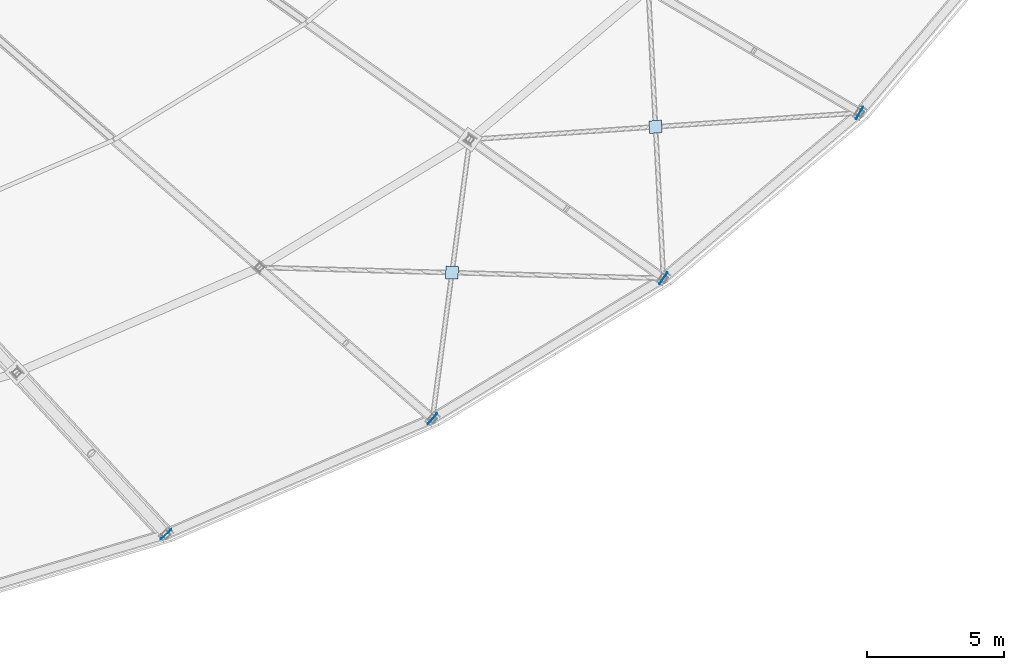
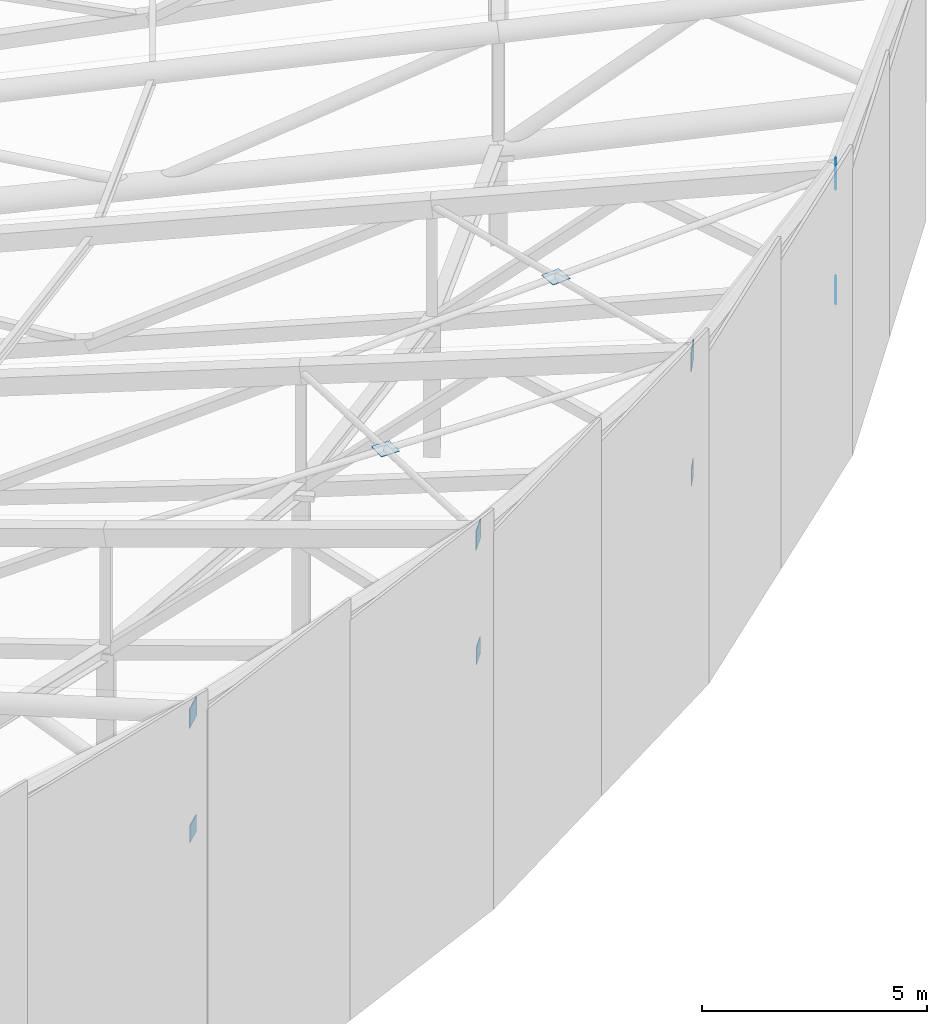
# One storey, part 122 of 143: 10 plates.
"""IFC4 building model written with IfcOpenShell, lengths in metres."""

from ifc_helpers import new_model, si_unit, direction, frame, origin, origin_2d, place, context, subcontext, project, spatial, rectangle, extrude, material, layer, layer_set, type_object, element, save


model = new_model("IFC4")

# Units and contexts
model_context = context("Model", 3, precision=1e-05, world=origin(), true_north=direction((0.0, 1.0)))
body_context = subcontext(model_context, "Body", "Model", "MODEL_VIEW")
ifc_project = project(units=[si_unit("LENGTHUNIT", "METRE"), si_unit("AREAUNIT", "SQUARE_METRE"), si_unit("VOLUMEUNIT", "CUBIC_METRE"), si_unit("PLANEANGLEUNIT", "RADIAN"), si_unit("MASSUNIT", "GRAM", prefix="KILO")], contexts=[model_context])

# Site, building, storey
site_placement = place(None, origin())
site = spatial("IfcSite", under=ifc_project, at=site_placement, CompositionType="ELEMENT")
building_placement = place(site_placement, origin())
building = spatial("IfcBuilding", under=site, at=building_placement, Name="Mphavela Belvedere Stadium", CompositionType="ELEMENT")
storey_placement = place(building_placement, frame((0.0, 0.0, 28.800048828125)))
storey = spatial("IfcBuildingStorey", under=building, at=storey_placement, Name="RF", CompositionType="ELEMENT", Elevation=28.800048828125)

# Plates
ifc_material_1 = material(Name="Steel S355", Category="steel")
ifc_layer_1 = layer(ifc_material_1, 0.01806640625)
ifc_layer_set_1 = layer_set([ifc_layer_1], Name="Steel S355")
plate_type_1 = type_object("IfcPlateType", Name="PLT-CAP-TRUSS-BC", PredefinedType="USERDEFINED", material=ifc_layer_set_1)
for number, where, z_axis, x_axis, name in (
    (1, (175.9375, 20.90869140625, 7.880859375), (0.0, 0.0, 1.0), (0.677903094969, -0.735151272753, 0.0), "Roof truss RT-41 hollow-end cap plate out_bc"),
    (2, (185.6962890625, 25.13916015625, 6.723388671875), (0.0, 0.0, 1.0), (0.752529860433, -0.658558128912, 0.0), "Roof truss RT-42 hollow-end cap plate out_bc"),
):
    element("IfcPlate", number, at=place(storey_placement, frame(where, z_axis=z_axis, x_axis=x_axis)), inside=storey, type_object=plate_type_1, Name=name, ObjectType="GUSSET_PLATE", PredefinedType="USERDEFINED", context=body_context, shape_type="SweptSolid", body=[
        extrude(rectangle(XDim=0.01806640625, YDim=0.4599609375, at=origin_2d()), origin(), (0.0, 0.0, 1.0), 0.4599609375),
    ])
plate_1_placement = place(storey_placement, frame((186.410888671875, 30.49365234375, 8.91552734375), z_axis=(0.0, 0.0, 1.0), x_axis=(0.999638806409, -0.026874834341, 0.0)))
element("IfcPlate", 3, at=plate_1_placement, inside=storey, type_object=plate_type_1, Name="Roof X-brace crossing gusset node plate 42", ObjectType="GUSSET_PLATE", PredefinedType="USERDEFINED", context=body_context, shape_type="SweptSolid", body=[
    extrude(rectangle(XDim=0.4599609375, YDim=0.4599609375, at=origin_2d()), origin(), (0.0, 0.0, 1.0), 0.01806640625),
])
plate_2_placement = place(storey_placement, frame((194.155517578125, 30.285400390625, 5.48095703125), z_axis=(0.0, 0.0, 1.0), x_axis=(0.812897512265, -0.582406760395, 0.0)))
element("IfcPlate", 4, at=plate_2_placement, inside=storey, type_object=plate_type_1, Name="Roof truss RT-43 hollow-end cap plate out_bc", ObjectType="GUSSET_PLATE", PredefinedType="USERDEFINED", context=body_context, shape_type="SweptSolid", body=[
    extrude(rectangle(XDim=0.01806640625, YDim=0.4599609375, at=origin_2d()), origin(), (0.0, 0.0, 1.0), 0.4599609375),
])
plate_3_placement = place(storey_placement, frame((193.864990234375, 35.83447265625, 7.7314453125), z_axis=(0.0, 0.0, 1.0), x_axis=(0.997660476238, 0.068363544026, 0.0)))
element("IfcPlate", 5, at=plate_3_placement, inside=storey, type_object=plate_type_1, Name="Roof X-brace crossing gusset node plate 43", ObjectType="GUSSET_PLATE", PredefinedType="USERDEFINED", context=body_context, shape_type="SweptSolid", body=[
    extrude(rectangle(XDim=0.4599609375, YDim=0.4599609375, at=origin_2d()), origin(), (0.0, 0.0, 1.0), 0.01806640625),
])
plate_4_placement = place(storey_placement, frame((201.33837890625, 36.346435546875, 4.23876953125), z_axis=(0.0, 0.0, 1.0), x_axis=(0.862513669207, -0.506033764121, 0.0)))
element("IfcPlate", 6, at=plate_4_placement, inside=storey, type_object=plate_type_1, Name="Roof truss RT-44 hollow-end cap plate out_bc", ObjectType="GUSSET_PLATE", PredefinedType="USERDEFINED", context=body_context, shape_type="SweptSolid", body=[
    extrude(rectangle(XDim=0.01806640625, YDim=0.4599609375, at=origin_2d()), origin(), (0.0, 0.0, 1.0), 0.4599609375),
])
ifc_material_2 = material(Name="Steel S355", Category="steel")
ifc_layer_2 = layer(ifc_material_2, 0.02001953125)
ifc_layer_set_2 = layer_set([ifc_layer_2], Name="Steel S355")
plate_type_2 = type_object("IfcPlateType", Name="PLT-CAP-TRUSS-TC", PredefinedType="USERDEFINED", material=ifc_layer_set_2)
for number, where, z_axis, x_axis, name in (
    (7, (175.9375, 20.90869140625, 11.0009765625), (0.0, 0.0, 1.0), (0.677903094969, -0.735151272753, 0.0), "Roof truss RT-41 hollow-end cap plate out_tc"),
    (8, (185.6962890625, 25.13916015625, 9.84326171875), (0.0, 0.0, 1.0), (0.752529860433, -0.658558128912, 0.0), "Roof truss RT-42 hollow-end cap plate out_tc"),
    (9, (194.155517578125, 30.285400390625, 8.600830078125), (0.0, 0.0, 1.0), (0.812897512265, -0.582406760395, 0.0), "Roof truss RT-43 hollow-end cap plate out_tc"),
    (10, (201.33837890625, 36.346435546875, 7.358642578125), (0.0, 0.0, 1.0), (0.862513669207, -0.506033764121, 0.0), "Roof truss RT-44 hollow-end cap plate out_tc"),
):
    element("IfcPlate", number, at=place(storey_placement, frame(where, z_axis=z_axis, x_axis=x_axis)), inside=storey, type_object=plate_type_2, Name=name, ObjectType="GUSSET_PLATE", PredefinedType="USERDEFINED", context=body_context, shape_type="SweptSolid", body=[
        extrude(rectangle(XDim=0.02001953125, YDim=0.52001953125, at=origin_2d()), origin(), (0.0, 0.0, 1.0), 0.52001953125),
    ])

save(model, "model.ifc")
